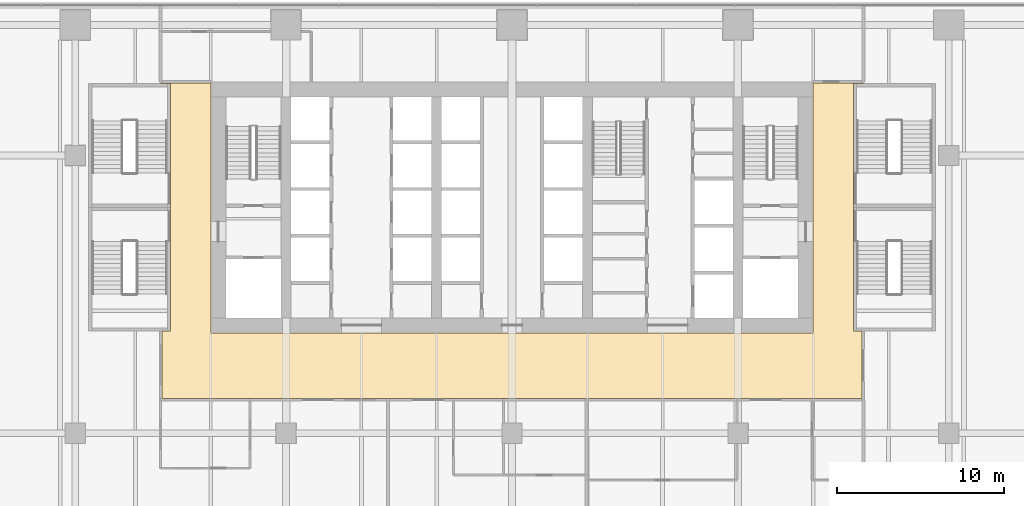
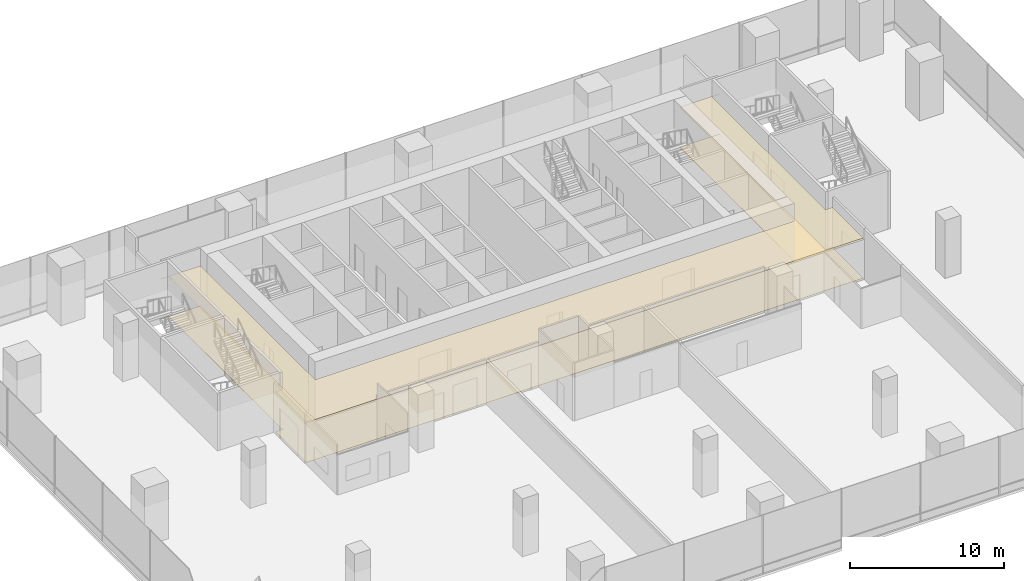
# One storey, part 25 of 28: 2 coverings.
"""IFC4 building model written with IfcOpenShell, lengths in metres."""

from ifc_helpers import new_model, si_unit, direction, frame, origin, place, context, subcontext, project, spatial, polyline, outline, extrude, material, layer, layer_set, type_object, element, save


model = new_model("IFC4")

# Units and contexts
model_context = context("Model", 3, precision=1e-05, world=origin(), true_north=direction((0.0, 1.0)))
body_context = subcontext(model_context, "Body", "Model", "MODEL_VIEW")
ifc_project = project(units=[si_unit("LENGTHUNIT", "METRE"), si_unit("AREAUNIT", "SQUARE_METRE"), si_unit("VOLUMEUNIT", "CUBIC_METRE"), si_unit("PLANEANGLEUNIT", "RADIAN"), si_unit("MASSUNIT", "GRAM", prefix="KILO")], contexts=[model_context])

# Site, building, storey
site_placement = place(None, origin())
site = spatial("IfcSite", under=ifc_project, at=site_placement, CompositionType="ELEMENT")
building_placement = place(site_placement, origin())
building = spatial("IfcBuilding", under=site, at=building_placement, Name="Rattan Terrace Tower", CompositionType="ELEMENT")
storey_placement = place(building_placement, frame((0.0, 0.0, 22.199951171875)))
storey = spatial("IfcBuildingStorey", under=building, at=storey_placement, Name="L04", CompositionType="ELEMENT", Elevation=22.199951171875)

# Coverings
ifc_material_1 = material(Name="Polished limestone", Category="masonry")
ifc_layer_1 = layer(ifc_material_1, 0.02001953125)
ifc_layer_set_1 = layer_set([ifc_layer_1], Name="Lobby Floor Finish Stone 20")
covering_type_1 = type_object("IfcCoveringType", Name="Lobby Floor Finish Stone 20", PredefinedType="FLOORING", material=ifc_layer_set_1)
covering_1_placement = place(storey_placement, origin())
element("IfcCovering", 1, at=covering_1_placement, inside=storey, type_object=covering_type_1, Name="Floor finish L04-101", PredefinedType="FLOORING", context=body_context, shape_type="SweptSolid", body=[
    extrude(outline(polyline([(-20.39990234375, 7.39990234375), (-20.39990234375, 0.0), (-20.39990234375, -7.39990234375), (-20.925048828125, -7.39990234375), (-20.925048828125, -11.425048828125), (20.925048828125, -11.425048828125), (20.925048828125, -7.39990234375), (20.39990234375, -7.39990234375), (20.39990234375, 0.0), (20.39990234375, 7.39990234375), (21.0, 7.39990234375), (21.0, 7.425048828125), (18.0, 7.425048828125), (18.0, -7.5), (-18.0, -7.5), (-18.0, 7.425048828125), (-21.0, 7.425048828125), (-21.0, 7.39990234375), (-20.39990234375, 7.39990234375)])), origin(), (0.0, 0.0, 1.0), 0.02001953125),
])
ifc_material_2 = material(Name="Gypsum board, painted")
ifc_layer_2 = layer(ifc_material_2, 0.02490234375)
ifc_layer_set_2 = layer_set([ifc_layer_2], Name="Suspended Ceiling Gypsum 25")
covering_type_2 = type_object("IfcCoveringType", Name="Suspended Ceiling Gypsum 25", PredefinedType="CEILING", material=ifc_layer_set_2)
covering_2_placement = place(storey_placement, frame((0.0, 0.0, 3.175048828125)))
element("IfcCovering", 2, at=covering_2_placement, inside=storey, type_object=covering_type_2, Name="Ceiling L04-101", PredefinedType="CEILING", context=body_context, shape_type="SweptSolid", body=[
    extrude(outline(polyline([(-20.39990234375, 7.39990234375), (-20.39990234375, 0.0), (-20.39990234375, -7.39990234375), (-20.925048828125, -7.39990234375), (-20.925048828125, -11.425048828125), (20.925048828125, -11.425048828125), (20.925048828125, -7.39990234375), (20.39990234375, -7.39990234375), (20.39990234375, 0.0), (20.39990234375, 7.39990234375), (21.0, 7.39990234375), (21.0, 7.425048828125), (18.0, 7.425048828125), (18.0, -7.5), (-18.0, -7.5), (-18.0, 7.425048828125), (-21.0, 7.425048828125), (-21.0, 7.39990234375), (-20.39990234375, 7.39990234375)])), origin(), (0.0, 0.0, 1.0), 0.02490234375),
])

save(model, "model.ifc")
